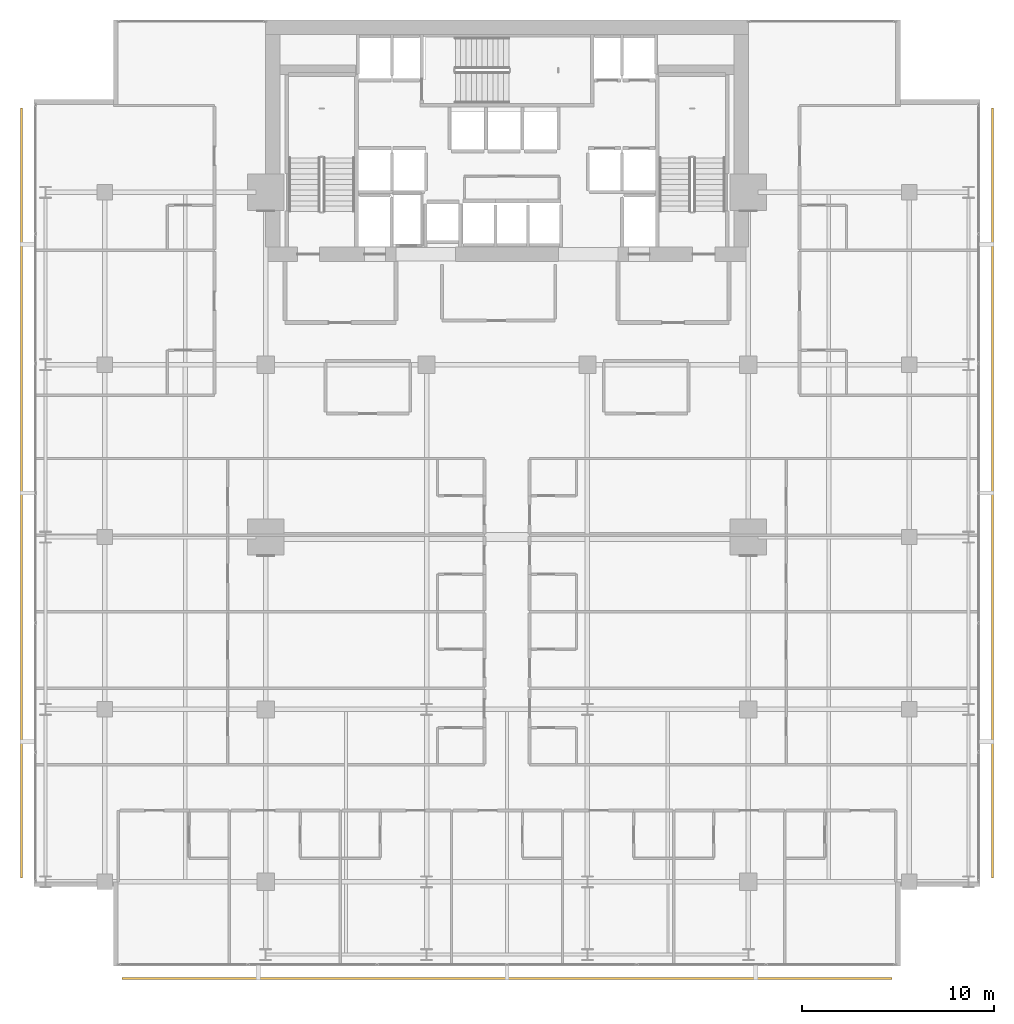
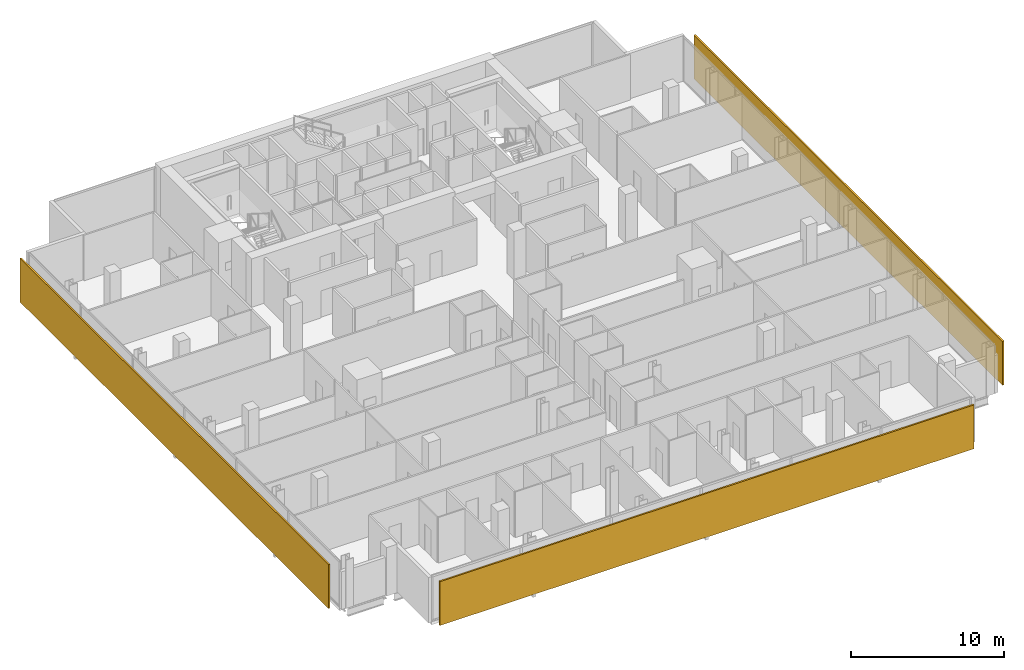
# One storey, part 33 of 34: 3 shading devices.
"""IFC4 building model written with IfcOpenShell, lengths in metres."""

from ifc_helpers import new_model, si_unit, direction, frame, origin, origin_2d, place, context, subcontext, project, spatial, rectangle, extrude, material, layer, layer_set, type_object, element, save


model = new_model("IFC4")

# Units and contexts
model_context = context("Model", 3, precision=1e-05, world=origin(), true_north=direction((0.0, 1.0)))
body_context = subcontext(model_context, "Body", "Model", "MODEL_VIEW")
ifc_project = project(units=[si_unit("LENGTHUNIT", "METRE"), si_unit("AREAUNIT", "SQUARE_METRE"), si_unit("VOLUMEUNIT", "CUBIC_METRE"), si_unit("PLANEANGLEUNIT", "RADIAN"), si_unit("MASSUNIT", "GRAM", prefix="KILO")], contexts=[model_context])

# Site, building, storey
site_placement = place(None, origin())
site = spatial("IfcSite", under=ifc_project, at=site_placement, CompositionType="ELEMENT")
building_placement = place(site_placement, origin())
building = spatial("IfcBuilding", under=site, at=building_placement, Name="Maruvema Waterfront Hotel and Observation Tower", CompositionType="ELEMENT")
storey_placement = place(building_placement, frame((0.0, 0.0, 127.39990234375)))
storey = spatial("IfcBuildingStorey", under=building, at=storey_placement, Name="L30", CompositionType="ELEMENT", Elevation=127.39990234375)

# Shading devices
ifc_material = material(Name="Honed travertine stone and anodised architectural bronze", Category="masonry")
ifc_layer = layer(ifc_material, 0.1201171875, Name="Ventilated Outer Skin Cobogo Stone-and-Bronze Screen 120 mm")
ifc_layer_set = layer_set([ifc_layer], Name="Honed travertine stone and anodised architectural bronze")
shading_device_type = type_object("IfcShadingDeviceType", Name="Ventilated Outer Skin Cobogo Stone-and-Bronze Screen 120 mm", PredefinedType="USERDEFINED", material=ifc_layer_set)
for number, where, z_axis, x_axis, name in (
    (1, (37.800048828125, 3.949951171875, 0.06005859375), (0.0, 0.0, 1.0), (1.0, 0.0, 0.0), "L30 Ventilated Double-Skin Outer Cobogo Screen OS-L30-S"),
    (2, (63.14990234375, 29.300048828125, 0.06005859375), (0.0, 0.0, 1.0), (0.0, 1.0, 0.0), "L30 Ventilated Double-Skin Outer Cobogo Screen OS-L30-E"),
    (3, (12.449951171875, 29.300048828125, 0.06005859375), (0.0, 0.0, 1.0), (0.0, -1.0, 0.0), "L30 Ventilated Double-Skin Outer Cobogo Screen OS-L30-W"),
):
    element("IfcShadingDevice", number, at=place(storey_placement, frame(where, z_axis=z_axis, x_axis=x_axis)), inside=storey, type_object=shading_device_type, Name=name, ObjectType="OUTER SKIN SCREEN", PredefinedType="USERDEFINED", context=body_context, shape_type="SweptSolid", body=[
        extrude(rectangle(XDim=40.199951171875, YDim=0.1201171875, at=origin_2d()), origin(), (0.0, 0.0, 1.0), 3.489990234375),
    ])

save(model, "model.ifc")
